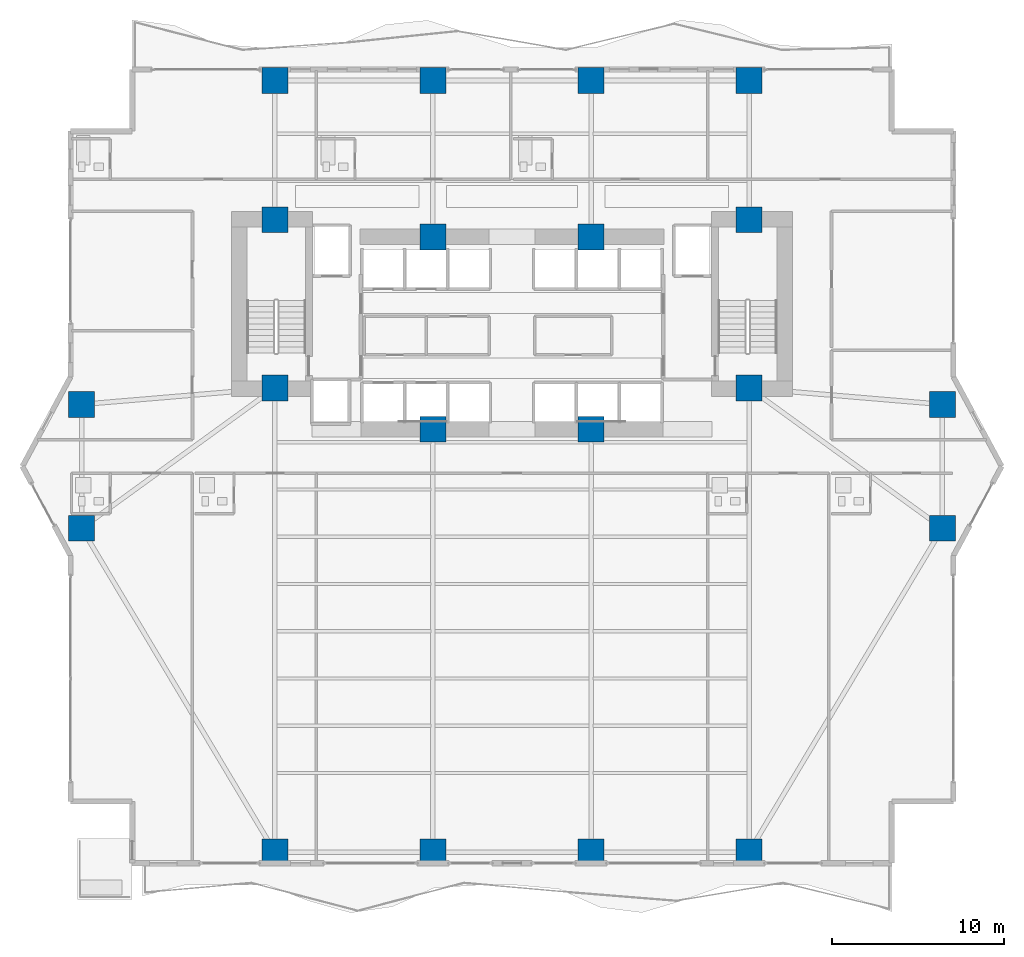
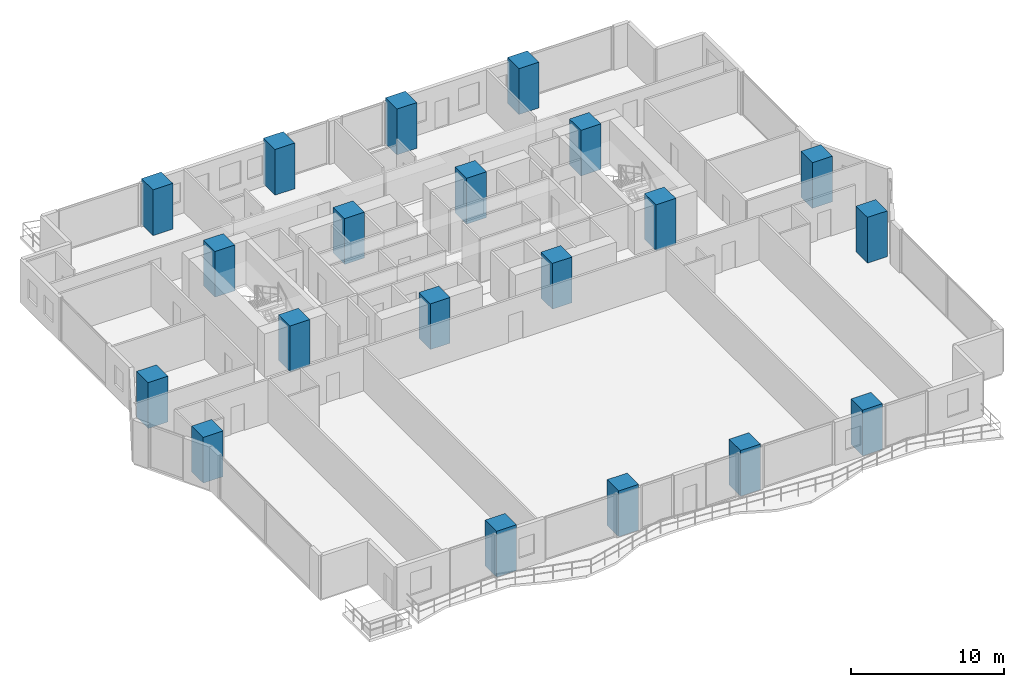
# One storey, part 1 of 28: 20 columns.
"""IFC4 building model written with IfcOpenShell, lengths in metres."""

from ifc_helpers import new_model, si_unit, direction, frame, origin, origin_2d, place, context, subcontext, project, spatial, rectangle, extrude, material, material_profile, profile_set, type_object, element, save


model = new_model("IFC4")

# Units and contexts
model_context = context("Model", 3, precision=1e-05, world=origin(), true_north=direction((0.0, 1.0)))
body_context = subcontext(model_context, "Body", "Model", "MODEL_VIEW")
ifc_project = project(units=[si_unit("LENGTHUNIT", "METRE"), si_unit("AREAUNIT", "SQUARE_METRE"), si_unit("VOLUMEUNIT", "CUBIC_METRE"), si_unit("PLANEANGLEUNIT", "RADIAN"), si_unit("MASSUNIT", "GRAM", prefix="KILO")], contexts=[model_context])

# Site, building, storey
site_placement = place(None, origin())
site = spatial("IfcSite", under=ifc_project, at=site_placement, CompositionType="ELEMENT")
building_placement = place(site_placement, origin())
building = spatial("IfcBuilding", under=site, at=building_placement, Name="Zuhayl Quay Hotel", CompositionType="ELEMENT")
storey_placement = place(building_placement, frame((0.0, 0.0, 78.699951171875)))
storey = spatial("IfcBuildingStorey", under=building, at=storey_placement, Name="L19", CompositionType="ELEMENT", Elevation=78.699951171875)

# Columns
ifc_material = material(Name="Concrete C70/85", Category="concrete")
ifc_material_profile_1 = material_profile(ifc_material, rectangle(XDim=1.5, YDim=1.5, at=origin_2d()), Name="RC1500X1500")
ifc_profile_set_1 = profile_set([ifc_material_profile_1], Name="Concrete C70/85")
column_type_1 = type_object("IfcColumnType", Name="CL_CC1_1500", PredefinedType="COLUMN", material=ifc_profile_set_1)
for number, where, z_axis, x_axis, name in (
    (1, (-13.800048828125, 14.35009765625, 0.0), (0.0, 0.0, 1.0), (1.0, 0.0, 0.0), "L19 Core Column CC_NW"),
    (2, (-4.60009765625, 13.35009765625, 0.0), (0.0, 0.0, 1.0), (1.0, 0.0, 0.0), "L19 Core Column CC_CNW"),
    (3, (4.60009765625, 13.35009765625, 0.0), (0.0, 0.0, 1.0), (1.0, 0.0, 0.0), "L19 Core Column CC_CNE"),
    (4, (13.800048828125, 14.35009765625, 0.0), (0.0, 0.0, 1.0), (1.0, 0.0, 0.0), "L19 Core Column CC_NE"),
    (5, (-13.800048828125, 4.550048828125, 0.0), (0.0, 0.0, 1.0), (1.0, 0.0, 0.0), "L19 Core Column CC_SW"),
    (6, (-4.60009765625, 2.14990234375, 0.0), (0.0, 0.0, 1.0), (1.0, 0.0, 0.0), "L19 Core Column CC_CSW"),
    (7, (4.60009765625, 2.14990234375, 0.0), (0.0, 0.0, 1.0), (1.0, 0.0, 0.0), "L19 Core Column CC_CSE"),
    (8, (13.800048828125, 4.550048828125, 0.0), (0.0, 0.0, 1.0), (1.0, 0.0, 0.0), "L19 Core Column CC_SE"),
):
    element("IfcColumn", number, at=place(storey_placement, frame(where, z_axis=z_axis, x_axis=x_axis)), inside=storey, type_object=column_type_1, Name=name, PredefinedType="COLUMN", context=body_context, shape_type="SweptSolid", body=[
        extrude(rectangle(XDim=1.5, YDim=1.5, at=origin_2d()), origin(), (0.0, 0.0, 1.0), 3.650146484375),
    ])
ifc_material_profile_2 = material_profile(ifc_material, rectangle(XDim=1.5, YDim=1.5, at=origin_2d()), Name="RC1500X1500")
ifc_profile_set_2 = profile_set([ifc_material_profile_2], Name="Concrete C70/85")
column_type_2 = type_object("IfcColumnType", Name="CL_MC1_1500", PredefinedType="COLUMN", material=ifc_profile_set_2)
for number, where, z_axis, x_axis, name in (
    (9, (-13.800048828125, -22.449951171875, 0.0), (0.0, 0.0, 1.0), (1.0, 0.0, 0.0), "L19 Mega-Column MC_S1"),
    (10, (-4.60009765625, -22.449951171875, 0.0), (0.0, 0.0, 1.0), (1.0, 0.0, 0.0), "L19 Mega-Column MC_S2"),
    (11, (4.60009765625, -22.449951171875, 0.0), (0.0, 0.0, 1.0), (1.0, 0.0, 0.0), "L19 Mega-Column MC_S3"),
    (12, (13.800048828125, -22.449951171875, 0.0), (0.0, 0.0, 1.0), (1.0, 0.0, 0.0), "L19 Mega-Column MC_S4"),
    (13, (-13.800048828125, 22.449951171875, 0.0), (0.0, 0.0, 1.0), (1.0, 0.0, 0.0), "L19 Mega-Column MC_N1"),
    (14, (-4.60009765625, 22.449951171875, 0.0), (0.0, 0.0, 1.0), (1.0, 0.0, 0.0), "L19 Mega-Column MC_N2"),
    (15, (4.60009765625, 22.449951171875, 0.0), (0.0, 0.0, 1.0), (1.0, 0.0, 0.0), "L19 Mega-Column MC_N3"),
    (16, (13.800048828125, 22.449951171875, 0.0), (0.0, 0.0, 1.0), (1.0, 0.0, 0.0), "L19 Mega-Column MC_N4"),
    (17, (-25.050048828125, -3.60009765625, 0.0), (0.0, 0.0, 1.0), (1.0, 0.0, 0.0), "L19 Mega-Column MC_W1"),
    (18, (-25.050048828125, 3.60009765625, 0.0), (0.0, 0.0, 1.0), (1.0, 0.0, 0.0), "L19 Mega-Column MC_W2"),
    (19, (25.050048828125, -3.60009765625, 0.0), (0.0, 0.0, 1.0), (1.0, 0.0, 0.0), "L19 Mega-Column MC_E1"),
    (20, (25.050048828125, 3.60009765625, 0.0), (0.0, 0.0, 1.0), (1.0, 0.0, 0.0), "L19 Mega-Column MC_E2"),
):
    element("IfcColumn", number, at=place(storey_placement, frame(where, z_axis=z_axis, x_axis=x_axis)), inside=storey, type_object=column_type_2, Name=name, PredefinedType="COLUMN", context=body_context, shape_type="SweptSolid", body=[
        extrude(rectangle(XDim=1.5, YDim=1.5, at=origin_2d()), origin(), (0.0, 0.0, 1.0), 3.650146484375),
    ])

save(model, "model.ifc")
